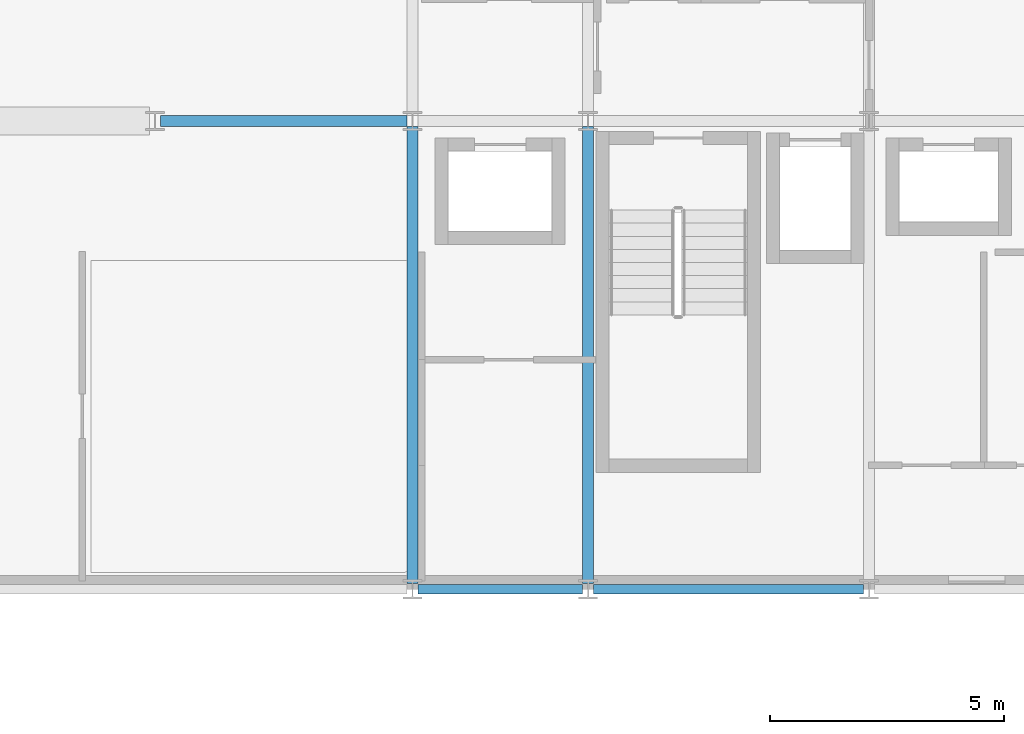
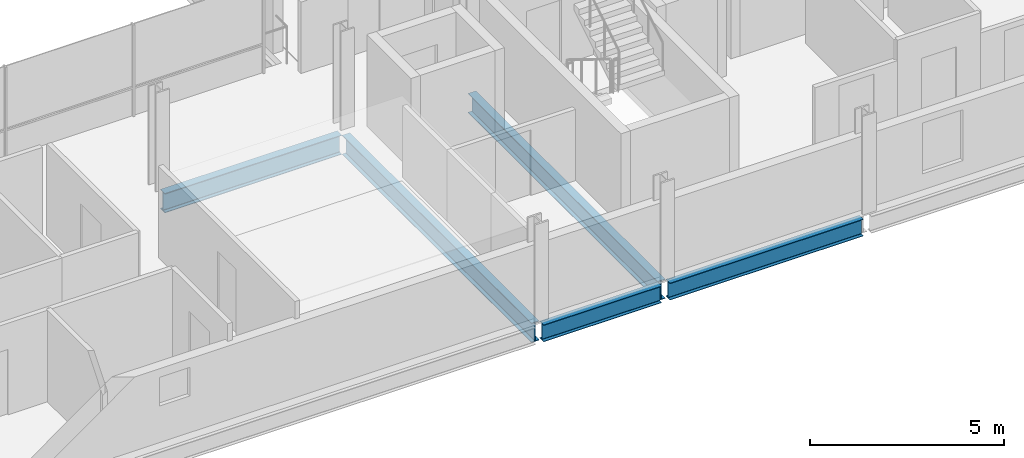
# One storey, part 14 of 41: 5 beams.
"""IFC4 building model written with IfcOpenShell, lengths in metres."""

from ifc_helpers import new_model, si_unit, direction, frame, origin, origin_2d, place, context, subcontext, project, spatial, i_section, extrude, material, material_profile, profile_set, type_object, element, save


model = new_model("IFC4")

# Units and contexts
model_context = context("Model", 3, precision=1e-05, world=origin(), true_north=direction((0.0, 1.0)))
body_context = subcontext(model_context, "Body", "Model", "MODEL_VIEW")
ifc_project = project(units=[si_unit("LENGTHUNIT", "METRE"), si_unit("AREAUNIT", "SQUARE_METRE"), si_unit("VOLUMEUNIT", "CUBIC_METRE"), si_unit("PLANEANGLEUNIT", "RADIAN"), si_unit("MASSUNIT", "GRAM", prefix="KILO")], contexts=[model_context])

# Site, building, storey
site_placement = place(None, origin())
site = spatial("IfcSite", under=ifc_project, at=site_placement, CompositionType="ELEMENT")
building_placement = place(site_placement, origin())
building = spatial("IfcBuilding", under=site, at=building_placement, Name="Brevholm Reach", CompositionType="ELEMENT")
storey_placement = place(building_placement, frame((0.0, 0.0, 144.89990234375)))
storey = spatial("IfcBuildingStorey", under=building, at=storey_placement, Name="L43", CompositionType="ELEMENT", Elevation=144.89990234375)

# Beams
ifc_material_1 = material(Name="Structural Steel S355J2", Category="steel")
ifc_material_profile_1 = material_profile(ifc_material_1, i_section(OverallWidth=0.209228515625, OverallDepth=0.533203125, WebThickness=0.010009765625, FlangeThickness=0.015625, FilletRadius=0.0126953125, at=origin_2d()), Name="UKB 533x210x92")
ifc_profile_set_1 = profile_set([ifc_material_profile_1], Name="Structural Steel S355J2")
beam_type_1 = type_object("IfcBeamType", Name="BM-SP533", PredefinedType="SPANDREL", material=ifc_profile_set_1)
beam_1_placement = place(storey_placement, frame((38.3701171875, 0.0, -0.486572265625), z_axis=(1.0, 0.0, 0.0), x_axis=(0.0, 1.0, 0.0)))
element("IfcBeam", 1, at=beam_1_placement, inside=storey, type_object=beam_type_1, Name="L43 SP-02 Framing Beam", PredefinedType="SPANDREL", context=body_context, shape_type="SweptSolid", body=[
    extrude(i_section(OverallWidth=0.209228515625, OverallDepth=0.533203125, WebThickness=0.010009765625, FlangeThickness=0.015625, FilletRadius=0.0126953125, at=origin_2d()), origin(), (0.0, 0.0, 1.0), 3.509765625),
])
beam_2_placement = place(storey_placement, frame((42.1201171875, 0.0, -0.486572265625), z_axis=(1.0, 0.0, 0.0), x_axis=(0.0, 1.0, 0.0)))
element("IfcBeam", 2, at=beam_2_placement, inside=storey, type_object=beam_type_1, Name="L43 SP-02 Framing Beam", PredefinedType="SPANDREL", context=body_context, shape_type="SweptSolid", body=[
    extrude(i_section(OverallWidth=0.209228515625, OverallDepth=0.533203125, WebThickness=0.010009765625, FlangeThickness=0.015625, FilletRadius=0.0126953125, at=origin_2d()), origin(), (0.0, 0.0, 1.0), 5.759765625),
])
ifc_material_2 = material(Name="Structural Steel S355J2", Category="steel")
ifc_material_profile_2 = material_profile(ifc_material_2, i_section(OverallWidth=0.22900390625, OverallDepth=0.6123046875, WebThickness=0.011962890625, FlangeThickness=0.01953125, FilletRadius=0.0126953125, at=origin_2d()), Name="UKB 610x229x125")
ifc_profile_set_2 = profile_set([ifc_material_profile_2], Name="Structural Steel S355J2")
beam_type_2 = type_object("IfcBeamType", Name="BM-SP610", PredefinedType="SPANDREL", material=ifc_profile_set_2)
beam_3_placement = place(storey_placement, frame((32.8701171875, 10.0, -0.526123046875), z_axis=(1.0, 0.0, 0.0), x_axis=(0.0, 1.0, 0.0)))
element("IfcBeam", 3, at=beam_3_placement, inside=storey, type_object=beam_type_2, Name="L43 SP-01 Framing Beam", PredefinedType="SPANDREL", context=body_context, shape_type="SweptSolid", body=[
    extrude(i_section(OverallWidth=0.22900390625, OverallDepth=0.6123046875, WebThickness=0.011962890625, FlangeThickness=0.01953125, FilletRadius=0.0126953125, at=origin_2d()), origin(), (0.0, 0.0, 1.0), 5.259765625),
])
for number, where, z_axis, x_axis, name in (
    (4, (38.25, 0.1201171875, -0.526123046875), (0.0, 1.0, 0.0), (-1.0, 0.0, 0.0), "L43 SP-01 Framing Beam"),
    (5, (42.0, 0.1201171875, -0.526123046875), (0.0, 1.0, 0.0), (-1.0, 0.0, 0.0), "L43 SP-01 Framing Beam"),
):
    element("IfcBeam", number, at=place(storey_placement, frame(where, z_axis=z_axis, x_axis=x_axis)), inside=storey, type_object=beam_type_2, Name=name, PredefinedType="SPANDREL", context=body_context, shape_type="SweptSolid", body=[
        extrude(i_section(OverallWidth=0.22900390625, OverallDepth=0.6123046875, WebThickness=0.011962890625, FlangeThickness=0.01953125, FilletRadius=0.0126953125, at=origin_2d()), origin(), (0.0, 0.0, 1.0), 9.759765625),
    ])

save(model, "model.ifc")
